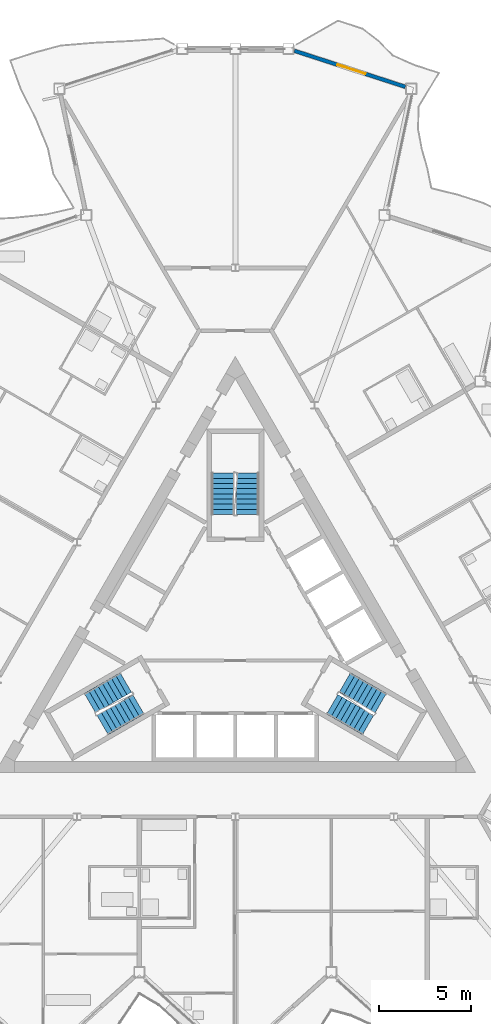
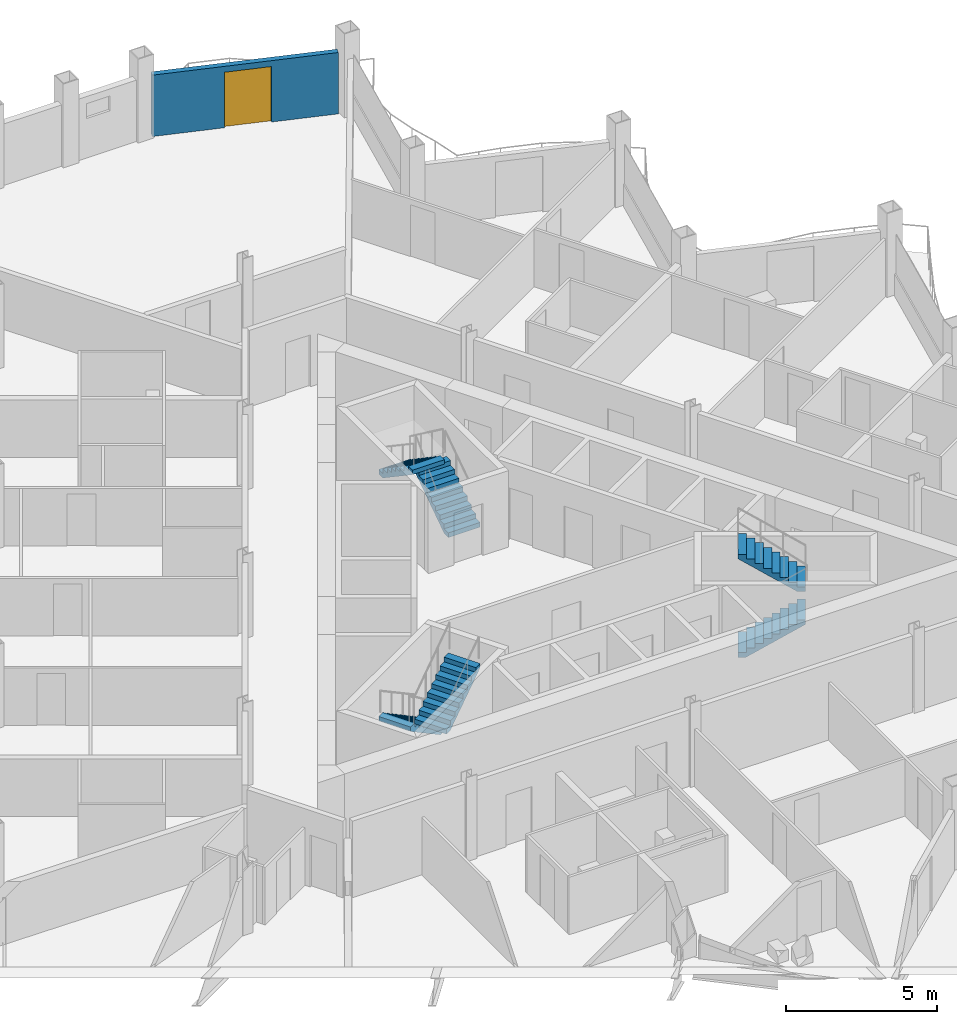
# One storey, part 18 of 26: 6 stair flights, 1 door, 1 wall, 1 opening, 3 elements without a shape of their own.
"""IFC4 building model written with IfcOpenShell, lengths in metres."""

from ifc_helpers import new_model, si_unit, direction, frame, frame_2d, origin, place, context, subcontext, project, spatial, polyline, rectangle, outline, extrude, material, layer, layer_set, type_object, element, fill, aggregate, save


model = new_model("IFC4")

# Units and contexts
model_context = context("Model", 3, precision=1e-05, world=origin(), true_north=direction((0.0, 1.0)))
body_context = subcontext(model_context, "Body", "Model", "MODEL_VIEW")
ifc_project = project(units=[si_unit("LENGTHUNIT", "METRE"), si_unit("AREAUNIT", "SQUARE_METRE"), si_unit("VOLUMEUNIT", "CUBIC_METRE"), si_unit("PLANEANGLEUNIT", "RADIAN"), si_unit("MASSUNIT", "GRAM", prefix="KILO")], contexts=[model_context])

# Site, building, storey
site_placement = place(None, origin())
site = spatial("IfcSite", under=ifc_project, at=site_placement, CompositionType="ELEMENT")
building_placement = place(site_placement, origin())
building = spatial("IfcBuilding", under=site, at=building_placement, Name="Cormorant Prow Tower", CompositionType="ELEMENT")
storey_placement = place(building_placement, frame((0.0, 0.0, 339.199951171875)))
storey = spatial("IfcBuildingStorey", under=building, at=storey_placement, Name="L76", CompositionType="ELEMENT", Elevation=339.199951171875)

# Wall, opening, door
ifc_material_1 = material(Name="Terracotta", Category="masonry")
ifc_layer = layer(ifc_material_1, 0.199951171875)
ifc_layer_set = layer_set([ifc_layer], Name="Terracotta")
wall_type = type_object("IfcWallType", Name="Terracotta jamb wall 200", PredefinedType="SOLIDWALL", material=ifc_layer_set)
wall_placement = place(storey_placement, frame((9.205810546875, 29.616455078125, 0.0), z_axis=(0.0, 0.0, 1.0), x_axis=(-0.951056221468, 0.309017901757, 0.0)))
wall = element("IfcWall", 1, at=wall_placement, inside=storey, type_object=wall_type, Name="Terracotta jamb wall ENE09", PredefinedType="SOLIDWALL", context=body_context, shape_type="SweptSolid", body=[
    extrude(rectangle(XDim=6.31640625, YDim=0.199951171875, at=frame_2d((3.158203125, 0.0))), origin(), (0.0, 0.0, 1.0), 2.488037109375),
])
opening_placement = place(wall_placement, frame((2.262939453125, 0.0, 0.0)))
opening = element("IfcOpeningElement", 2, at=opening_placement, cuts=wall, Name="Opening ED76.10", PredefinedType="OPENING", context=body_context, shape_type="SweptSolid", body=[
    extrude(rectangle(XDim=1.60009765625, YDim=2.25, at=frame_2d((0.800048828125, 1.125))), frame((0.0, 0.10986328125, 0.0), z_axis=(0.0, -1.0, 0.0), x_axis=(1.0, 0.0, 0.0)), (0.0, 0.0, 1.0), 0.219970703125),
])
ifc_material_2 = material(Name="Aluminium 6063-T6", Category="aluminium")
door_type = type_object("IfcDoorType", Name="Balcony door 1600x2250", OperationType="DOUBLE_DOOR_SINGLE_SWING", PredefinedType="DOOR", material=ifc_material_2)
door_placement = place(opening_placement, origin())
door = element("IfcDoor", 3, at=door_placement, inside=storey, type_object=door_type, Name="Balcony door ENE09 ED76.10", OperationType="DOUBLE_DOOR_SINGLE_SWING", OverallHeight=2.25, OverallWidth=1.60009765625, PredefinedType="DOOR", context=body_context, shape_type="SweptSolid", body=[
    extrude(rectangle(XDim=1.60009765625, YDim=2.25, at=frame_2d((0.800048828125, 1.125))), frame((0.0, 0.02490234375, 0.0), z_axis=(0.0, -1.0, 0.0), x_axis=(1.0, 0.0, 0.0)), (0.0, 0.0, 1.0), 0.050048828125),
])
fill(opening, door)

# Stair, stair flights
ifc_material_3 = material(Name="Exit stair 18 risers")
stair_type = type_object("IfcStairType", Name="Exit stair 18 risers", PredefinedType="HALF_TURN_STAIR", material=ifc_material_3)
stair_1_placement = place(storey_placement, origin())
stair_1 = element("IfcStair", 4, at=stair_1_placement, inside=storey, type_object=stair_type, Name="L76 Exit stair ST1", PredefinedType="HALF_TURN_STAIR")
ifc_material_4 = material(Name="Concrete 5000 psi", Category="concrete")
stair_flight_type = type_object("IfcStairFlightType", Name="Stair flight 1219", PredefinedType="STRAIGHT", material=ifc_material_4)
stair_flight_1_placement = place(storey_placement, frame((-5.93310546875, -2.635009765625, 0.0), z_axis=(0.0, 0.0, 1.0), x_axis=(-0.866025403784, -0.5, 0.0)))
stair_flight_1 = element("IfcStairFlight", 5, at=stair_flight_1_placement, type_object=stair_flight_type, Name="ST1 flight 1", NumberOfRisers=9, NumberOfTreads=8, PredefinedType="STRAIGHT", RiserHeight=0.188888889, TreadLength=0.28, context=body_context, shape_type="SweptSolid", body=[
    extrude(outline(polyline([(0.0, 0.0), (0.0, 0.18896484375), (0.280029296875, 0.18896484375), (0.280029296875, 0.377685546875), (0.56005859375, 0.377685546875), (0.56005859375, 0.566650390625), (0.840087890625, 0.566650390625), (0.840087890625, 0.755615234375), (1.1201171875, 0.755615234375), (1.1201171875, 0.9443359375), (1.39990234375, 0.9443359375), (1.39990234375, 1.13330078125), (1.679931640625, 1.13330078125), (1.679931640625, 1.322265625), (1.9599609375, 1.322265625), (1.9599609375, 1.51123046875), (2.239990234375, 1.51123046875), (2.239990234375, 1.699951171875), (2.239990234375, 1.330322265625), (0.26806640625, 0.0), (0.0, 0.0)])), frame((0.0, 0.609375, 0.0), z_axis=(0.0, -1.0, 0.0), x_axis=(1.0, 0.0, 0.0)), (0.0, 0.0, 1.0), 1.218994140625),
])
stair_flight_2_placement = place(storey_placement, frame((-7.1884765625, -4.940673828125, 1.699951171875), z_axis=(0.0, 0.0, 1.0), x_axis=(0.866025403784, 0.5, 0.0)))
stair_flight_2 = element("IfcStairFlight", 6, at=stair_flight_2_placement, type_object=stair_flight_type, Name="ST1 flight 2", NumberOfRisers=9, NumberOfTreads=8, PredefinedType="STRAIGHT", RiserHeight=0.188888889, TreadLength=0.28, context=body_context, shape_type="SweptSolid", body=[
    extrude(outline(polyline([(0.0, 0.0), (0.0, 0.18896484375), (0.280029296875, 0.18896484375), (0.280029296875, 0.377685546875), (0.56005859375, 0.377685546875), (0.56005859375, 0.566650390625), (0.840087890625, 0.566650390625), (0.840087890625, 0.755615234375), (1.1201171875, 0.755615234375), (1.1201171875, 0.9443359375), (1.39990234375, 0.9443359375), (1.39990234375, 1.13330078125), (1.679931640625, 1.13330078125), (1.679931640625, 1.322265625), (1.9599609375, 1.322265625), (1.9599609375, 1.51123046875), (2.239990234375, 1.51123046875), (2.239990234375, 1.699951171875), (2.239990234375, 1.330322265625), (0.26806640625, 0.0), (0.0, 0.0)])), frame((0.0, 0.609375, 0.0), z_axis=(0.0, -1.0, 0.0), x_axis=(1.0, 0.0, 0.0)), (0.0, 0.0, 1.0), 1.218994140625),
])
aggregate(stair_1, [stair_flight_1, stair_flight_2])

stair_2_placement = place(storey_placement, origin())
stair_2 = element("IfcStair", 7, at=stair_2_placement, inside=storey, type_object=stair_type, Name="L76 Exit stair ST2", PredefinedType="HALF_TURN_STAIR")
stair_flight_3_placement = place(storey_placement, frame((5.24853515625, -3.82080078125, 0.0), z_axis=(0.0, 0.0, 1.0), x_axis=(0.866025403784, -0.5, 0.0)))
stair_flight_3 = element("IfcStairFlight", 8, at=stair_flight_3_placement, type_object=stair_flight_type, Name="ST2 flight 1", NumberOfRisers=9, NumberOfTreads=8, PredefinedType="STRAIGHT", RiserHeight=0.188888889, TreadLength=0.28, context=body_context, shape_type="SweptSolid", body=[
    extrude(outline(polyline([(0.0, 0.0), (0.0, 0.18896484375), (0.280029296875, 0.18896484375), (0.280029296875, 0.377685546875), (0.56005859375, 0.377685546875), (0.56005859375, 0.566650390625), (0.840087890625, 0.566650390625), (0.840087890625, 0.755615234375), (1.1201171875, 0.755615234375), (1.1201171875, 0.9443359375), (1.39990234375, 0.9443359375), (1.39990234375, 1.13330078125), (1.679931640625, 1.13330078125), (1.679931640625, 1.322265625), (1.9599609375, 1.322265625), (1.9599609375, 1.51123046875), (2.239990234375, 1.51123046875), (2.239990234375, 1.699951171875), (2.239990234375, 1.330322265625), (0.26806640625, 0.0), (0.0, 0.0)])), frame((0.0, 0.609375, 0.0), z_axis=(0.0, -1.0, 0.0), x_axis=(1.0, 0.0, 0.0)), (0.0, 0.0, 1.0), 1.218994140625),
])
stair_flight_4_placement = place(storey_placement, frame((7.873046875, -3.755126953125, 1.699951171875), z_axis=(0.0, 0.0, 1.0), x_axis=(-0.866025403784, 0.5, 0.0)))
stair_flight_4 = element("IfcStairFlight", 9, at=stair_flight_4_placement, type_object=stair_flight_type, Name="ST2 flight 2", NumberOfRisers=9, NumberOfTreads=8, PredefinedType="STRAIGHT", RiserHeight=0.188888889, TreadLength=0.28, context=body_context, shape_type="SweptSolid", body=[
    extrude(outline(polyline([(0.0, 0.0), (0.0, 0.18896484375), (0.280029296875, 0.18896484375), (0.280029296875, 0.377685546875), (0.56005859375, 0.377685546875), (0.56005859375, 0.566650390625), (0.840087890625, 0.566650390625), (0.840087890625, 0.755615234375), (1.1201171875, 0.755615234375), (1.1201171875, 0.9443359375), (1.39990234375, 0.9443359375), (1.39990234375, 1.13330078125), (1.679931640625, 1.13330078125), (1.679931640625, 1.322265625), (1.9599609375, 1.322265625), (1.9599609375, 1.51123046875), (2.239990234375, 1.51123046875), (2.239990234375, 1.699951171875), (2.239990234375, 1.330322265625), (0.26806640625, 0.0), (0.0, 0.0)])), frame((0.0, 0.609375, 0.0), z_axis=(0.0, -1.0, 0.0), x_axis=(1.0, 0.0, 0.0)), (0.0, 0.0, 1.0), 1.218994140625),
])
aggregate(stair_2, [stair_flight_3, stair_flight_4])

stair_3_placement = place(storey_placement, origin())
stair_3 = element("IfcStair", 10, at=stair_3_placement, inside=storey, type_object=stair_type, Name="L76 Exit stair ST3", PredefinedType="HALF_TURN_STAIR")
stair_flight_5_placement = place(storey_placement, frame((0.6845703125, 6.455810546875, 0.0), z_axis=(0.0, 0.0, 1.0), x_axis=(0.0, 1.0, 0.0)))
stair_flight_5 = element("IfcStairFlight", 11, at=stair_flight_5_placement, type_object=stair_flight_type, Name="ST3 flight 1", NumberOfRisers=9, NumberOfTreads=8, PredefinedType="STRAIGHT", RiserHeight=0.188888889, TreadLength=0.28, context=body_context, shape_type="SweptSolid", body=[
    extrude(outline(polyline([(0.0, 0.0), (0.0, 0.18896484375), (0.280029296875, 0.18896484375), (0.280029296875, 0.377685546875), (0.56005859375, 0.377685546875), (0.56005859375, 0.566650390625), (0.840087890625, 0.566650390625), (0.840087890625, 0.755615234375), (1.1201171875, 0.755615234375), (1.1201171875, 0.9443359375), (1.39990234375, 0.9443359375), (1.39990234375, 1.13330078125), (1.679931640625, 1.13330078125), (1.679931640625, 1.322265625), (1.9599609375, 1.322265625), (1.9599609375, 1.51123046875), (2.239990234375, 1.51123046875), (2.239990234375, 1.699951171875), (2.239990234375, 1.330322265625), (0.26806640625, 0.0), (0.0, 0.0)])), frame((0.0, 0.609375, 0.0), z_axis=(0.0, -1.0, 0.0), x_axis=(1.0, 0.0, 0.0)), (0.0, 0.0, 1.0), 1.218994140625),
])
stair_flight_6_placement = place(storey_placement, frame((-0.6845703125, 8.69580078125, 1.699951171875), z_axis=(0.0, 0.0, 1.0), x_axis=(0.0, -1.0, 0.0)))
stair_flight_6 = element("IfcStairFlight", 12, at=stair_flight_6_placement, type_object=stair_flight_type, Name="ST3 flight 2", NumberOfRisers=9, NumberOfTreads=8, PredefinedType="STRAIGHT", RiserHeight=0.188888889, TreadLength=0.28, context=body_context, shape_type="SweptSolid", body=[
    extrude(outline(polyline([(0.0, 0.0), (0.0, 0.18896484375), (0.280029296875, 0.18896484375), (0.280029296875, 0.377685546875), (0.56005859375, 0.377685546875), (0.56005859375, 0.566650390625), (0.840087890625, 0.566650390625), (0.840087890625, 0.755615234375), (1.1201171875, 0.755615234375), (1.1201171875, 0.9443359375), (1.39990234375, 0.9443359375), (1.39990234375, 1.13330078125), (1.679931640625, 1.13330078125), (1.679931640625, 1.322265625), (1.9599609375, 1.322265625), (1.9599609375, 1.51123046875), (2.239990234375, 1.51123046875), (2.239990234375, 1.699951171875), (2.239990234375, 1.330322265625), (0.26806640625, 0.0), (0.0, 0.0)])), frame((0.0, 0.609375, 0.0), z_axis=(0.0, -1.0, 0.0), x_axis=(1.0, 0.0, 0.0)), (0.0, 0.0, 1.0), 1.218994140625),
])
aggregate(stair_3, [stair_flight_5, stair_flight_6])

save(model, "model.ifc")
